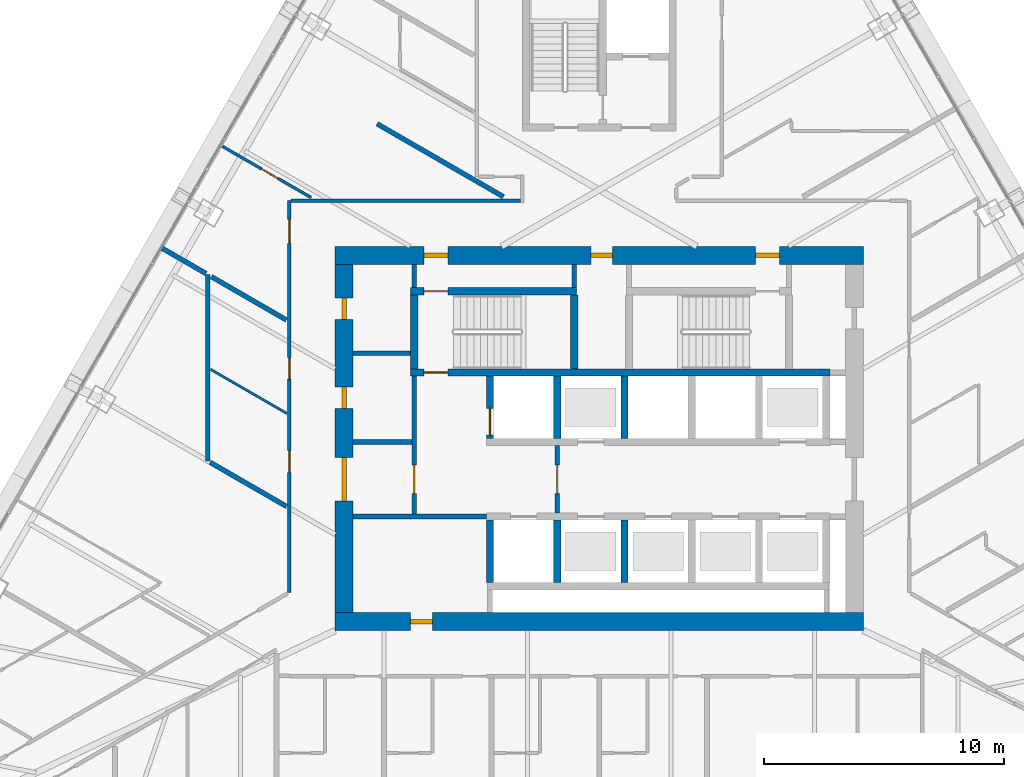
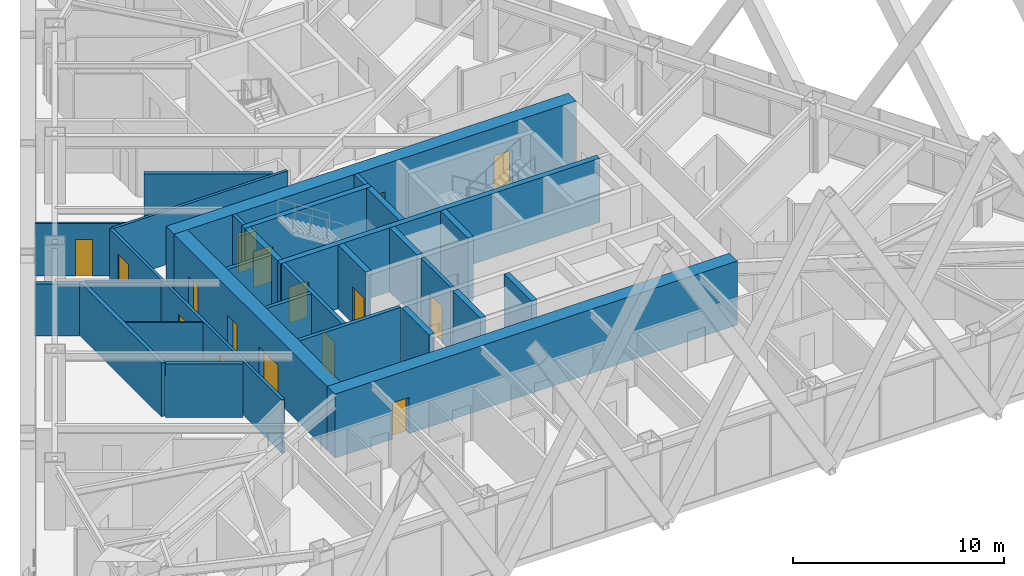
# One storey, part 18 of 24: 29 walls, 16 doors, 16 openings.
"""IFC4 building model written with IfcOpenShell, lengths in metres."""

from ifc_helpers import new_model, si_unit, direction, frame, frame_2d, origin, place, context, subcontext, project, spatial, rectangle, extrude, material, layer, layer_set, type_object, element, fill, save


model = new_model("IFC4")

# Units and contexts
model_context = context("Model", 3, precision=1e-05, world=origin(), true_north=direction((0.0, 1.0)))
body_context = subcontext(model_context, "Body", "Model", "MODEL_VIEW")
ifc_project = project(units=[si_unit("LENGTHUNIT", "METRE"), si_unit("AREAUNIT", "SQUARE_METRE"), si_unit("VOLUMEUNIT", "CUBIC_METRE"), si_unit("PLANEANGLEUNIT", "RADIAN"), si_unit("MASSUNIT", "GRAM", prefix="KILO")], contexts=[model_context])

# Site, building, storey
site_placement = place(None, origin())
site = spatial("IfcSite", under=ifc_project, at=site_placement, CompositionType="ELEMENT")
building_placement = place(site_placement, origin())
building = spatial("IfcBuilding", under=site, at=building_placement, Name="Firuza Gate Tower and Library", CompositionType="ELEMENT")
storey_placement = place(building_placement, frame((0.0, 0.0, 171.39990234375)))
storey = spatial("IfcBuildingStorey", under=building, at=storey_placement, Name="L39", CompositionType="ELEMENT", Elevation=171.39990234375)

# Walls
ifc_material_1 = material(Name="Plasterboard on steel studs", Category="steel")
ifc_layer_1 = layer(ifc_material_1, 0.199951171875)
ifc_layer_set_1 = layer_set([ifc_layer_1], Name="Core partition 200 EI 120")
wall_type_1 = type_object("IfcWallType", Name="Core partition 200 EI 120", PredefinedType="PARTITIONING", material=ifc_layer_set_1)
wall_1_placement = place(storey_placement, frame((64.75, 71.75, 0.0), z_axis=(0.0, 0.0, 1.0), x_axis=(1.0, 0.0, 0.0)))
element("IfcWall", 1, at=wall_1_placement, inside=storey, type_object=wall_type_1, Name="Core partition L39 1", PredefinedType="PARTITIONING", context=body_context, shape_type="SweptSolid", body=[
    extrude(rectangle(XDim=5.550048828125, YDim=0.199951171875, at=frame_2d((2.77490234375, 0.0))), origin(), (0.0, 0.0, 1.0), 3.7001953125),
])
ifc_material_2 = material(Name="Plasterboard on steel studs", Category="steel")
ifc_layer_2 = layer(ifc_material_2, 0.199951171875)
ifc_layer_set_2 = layer_set([ifc_layer_2], Name="Core partition 200 EI 60")
wall_type_2 = type_object("IfcWallType", Name="Core partition 200 EI 60", PredefinedType="PARTITIONING", material=ifc_layer_set_2)
wall_2_placement = place(storey_placement, frame((64.75, 74.85009765625, 0.0), z_axis=(0.0, 0.0, 1.0), x_axis=(1.0, 0.0, 0.0)))
element("IfcWall", 2, at=wall_2_placement, inside=storey, type_object=wall_type_2, Name="Core partition L39 3", PredefinedType="PARTITIONING", context=body_context, shape_type="SweptSolid", body=[
    extrude(rectangle(XDim=2.449951171875, YDim=0.199951171875, at=frame_2d((1.22509765625, 0.0))), origin(), (0.0, 0.0, 1.0), 3.7001953125),
])
wall_3_placement = place(storey_placement, frame((64.75, 78.550048828125, 0.0), z_axis=(0.0, 0.0, 1.0), x_axis=(1.0, 0.0, 0.0)))
element("IfcWall", 3, at=wall_3_placement, inside=storey, type_object=wall_type_2, Name="Core partition L39 6", PredefinedType="PARTITIONING", context=body_context, shape_type="SweptSolid", body=[
    extrude(rectangle(XDim=2.39990234375, YDim=0.199951171875, at=frame_2d((1.199951171875, 0.0))), origin(), (0.0, 0.0, 1.0), 3.7001953125),
])

# Wall, opening, door
wall_4_placement = place(storey_placement, frame((67.300048828125, 71.85009765625, 0.0), z_axis=(0.0, 0.0, 1.0), x_axis=(0.0, 1.0, 0.0)))
wall_4 = element("IfcWall", 4, at=wall_4_placement, inside=storey, type_object=wall_type_2, Name="Core partition L39 7", PredefinedType="PARTITIONING", context=body_context, shape_type="SweptSolid", body=[
    extrude(rectangle(XDim=5.75, YDim=0.199951171875, at=frame_2d((2.875, 0.0))), origin(), (0.0, 0.0, 1.0), 3.7001953125),
])
opening_1_placement = place(wall_4_placement, frame((0.85009765625, 0.0, 0.0)))
opening_1 = element("IfcOpeningElement", 5, at=opening_1_placement, cuts=wall_4, Name="Opening L39-K19", PredefinedType="OPENING", context=body_context, shape_type="SweptSolid", body=[
    extrude(rectangle(XDim=1.199951171875, YDim=2.10009765625, at=frame_2d((0.60009765625, 1.050048828125))), frame((0.0, 0.10986328125, 0.0), z_axis=(0.0, -1.0, 0.0), x_axis=(1.0, 0.0, 0.0)), (0.0, 0.0, 1.0), 0.219970703125),
])
ifc_material_3 = material(Name="Steel", Category="steel")
door_type_1 = type_object("IfcDoorType", Name="Fire door 1200x2100 FD90S", OperationType="NOTDEFINED", PredefinedType="DOOR", material=ifc_material_3)
door_1_placement = place(opening_1_placement, origin())
door_1 = element("IfcDoor", 6, at=door_1_placement, inside=storey, type_object=door_type_1, Name="Door L39-K19", OperationType="SINGLE_SWING_RIGHT", OverallHeight=2.10009765625, OverallWidth=1.199951171875, PredefinedType="DOOR", context=body_context, shape_type="SweptSolid", body=[
    extrude(rectangle(XDim=1.199951171875, YDim=2.10009765625, at=frame_2d((0.60009765625, 1.050048828125))), frame((0.0, 0.02490234375, 0.0), z_axis=(0.0, -1.0, 0.0), x_axis=(1.0, 0.0, 0.0)), (0.0, 0.0, 1.0), 0.050048828125),
])
fill(opening_1, door_1)

# Wall
wall_5_placement = place(storey_placement, frame((67.300048828125, 81.280029296875, 0.0), z_axis=(0.0, 0.0, 1.0), x_axis=(0.0, 1.0, 0.0)))
element("IfcWall", 7, at=wall_5_placement, inside=storey, type_object=wall_type_2, Name="Core partition L39 8", PredefinedType="PARTITIONING", context=body_context, shape_type="SweptSolid", body=[
    extrude(rectangle(XDim=0.969970703125, YDim=0.199951171875, at=frame_2d((0.48486328125, 0.0))), origin(), (0.0, 0.0, 1.0), 3.7001953125),
])

# Wall, opening, door
wall_6_placement = place(storey_placement, frame((73.25, 71.89990234375, 0.0), z_axis=(0.0, 0.0, 1.0), x_axis=(0.0, 1.0, 0.0)))
wall_6 = element("IfcWall", 8, at=wall_6_placement, inside=storey, type_object=wall_type_2, Name="Core partition L39 10", PredefinedType="PARTITIONING", context=body_context, shape_type="SweptSolid", body=[
    extrude(rectangle(XDim=2.800048828125, YDim=0.199951171875, at=frame_2d((1.39990234375, 0.0))), origin(), (0.0, 0.0, 1.0), 3.7001953125),
])
opening_2_placement = place(wall_6_placement, frame((0.800048828125, 0.0, 0.0)))
opening_2 = element("IfcOpeningElement", 9, at=opening_2_placement, cuts=wall_6, Name="Opening L39-K18", PredefinedType="OPENING", context=body_context, shape_type="SweptSolid", body=[
    extrude(rectangle(XDim=1.199951171875, YDim=2.10009765625, at=frame_2d((0.60009765625, 1.050048828125))), frame((0.0, 0.10986328125, 0.0), z_axis=(0.0, -1.0, 0.0), x_axis=(1.0, 0.0, 0.0)), (0.0, 0.0, 1.0), 0.219970703125),
])
door_2_placement = place(opening_2_placement, origin())
door_2 = element("IfcDoor", 10, at=door_2_placement, inside=storey, type_object=door_type_1, Name="Door L39-K18", OperationType="SINGLE_SWING_LEFT", OverallHeight=2.10009765625, OverallWidth=1.199951171875, PredefinedType="DOOR", context=body_context, shape_type="SweptSolid", body=[
    extrude(rectangle(XDim=1.199951171875, YDim=2.10009765625, at=frame_2d((0.60009765625, 1.050048828125))), frame((0.0, 0.02490234375, 0.0), z_axis=(0.0, -1.0, 0.0), x_axis=(1.0, 0.0, 0.0)), (0.0, 0.0, 1.0), 0.050048828125),
])
fill(opening_2, door_2)

# Walls
wall_7_placement = place(storey_placement, frame((73.9599609375, 81.280029296875, 0.0), z_axis=(0.0, 0.0, 1.0), x_axis=(0.0, 1.0, 0.0)))
element("IfcWall", 11, at=wall_7_placement, inside=storey, type_object=wall_type_2, Name="Core partition L39 11", PredefinedType="PARTITIONING", context=body_context, shape_type="SweptSolid", body=[
    extrude(rectangle(XDim=0.969970703125, YDim=0.199951171875, at=frame_2d((0.48486328125, 0.0))), origin(), (0.0, 0.0, 1.0), 3.7001953125),
])
ifc_material_4 = material(Name="Concrete C80/95", Category="concrete")
ifc_layer_3 = layer(ifc_material_4, 0.300048828125)
ifc_layer_set_3 = layer_set([ifc_layer_3], Name="Core wall 300 C80/95")
wall_type_3 = type_object("IfcWallType", Name="Core wall 300 C80/95", PredefinedType="SHEAR", material=ifc_layer_set_3)
wall_8_placement = place(storey_placement, frame((70.449951171875, 69.0, 0.0), z_axis=(0.0, 0.0, 1.0), x_axis=(0.0, 1.0, 0.0)))
element("IfcWall", 12, at=wall_8_placement, inside=storey, type_object=wall_type_3, Name="Core wall L39 8", PredefinedType="SHEAR", context=body_context, shape_type="SweptSolid", body=[
    extrude(rectangle(XDim=2.60009765625, YDim=0.300048828125, at=frame_2d((1.300048828125, 0.0))), origin(), (0.0, 0.0, 1.0), 3.7001953125),
])

# Wall, opening, door
wall_9_placement = place(storey_placement, frame((70.449951171875, 75.0, 0.0), z_axis=(0.0, 0.0, 1.0), x_axis=(0.0, 1.0, 0.0)))
wall_9 = element("IfcWall", 13, at=wall_9_placement, inside=storey, type_object=wall_type_3, Name="Core wall L39 9", PredefinedType="SHEAR", context=body_context, shape_type="SweptSolid", body=[
    extrude(rectangle(XDim=2.60009765625, YDim=0.300048828125, at=frame_2d((1.300048828125, 0.0))), origin(), (0.0, 0.0, 1.0), 3.7001953125),
])
opening_3_placement = place(wall_9_placement, frame((0.14990234375, 0.0, 0.0)))
opening_3 = element("IfcOpeningElement", 14, at=opening_3_placement, cuts=wall_9, Name="Opening LD-FF2-L39", PredefinedType="OPENING", context=body_context, shape_type="SweptSolid", body=[
    extrude(rectangle(XDim=1.10009765625, YDim=2.10009765625, at=frame_2d((0.550048828125, 1.050048828125))), frame((0.0, 0.16015625, 0.0), z_axis=(0.0, -1.0, 0.0), x_axis=(1.0, 0.0, 0.0)), (0.0, 0.0, 1.0), 0.320068359375),
])
ifc_material_5 = material(Name="Stainless steel", Category="steel")
door_type_2 = type_object("IfcDoorType", Name="Lift landing door 1100x2100", OperationType="DOUBLE_DOOR_SLIDING", PredefinedType="DOOR", material=ifc_material_5)
door_3_placement = place(opening_3_placement, origin())
door_3 = element("IfcDoor", 15, at=door_3_placement, inside=storey, type_object=door_type_2, Name="Landing door FF2 L39", OperationType="DOUBLE_DOOR_SLIDING", OverallHeight=2.10009765625, OverallWidth=1.10009765625, PredefinedType="DOOR", context=body_context, shape_type="SweptSolid", body=[
    extrude(rectangle(XDim=1.10009765625, YDim=2.10009765625, at=frame_2d((0.550048828125, 1.050048828125))), frame((0.0, 0.02490234375, 0.0), z_axis=(0.0, -1.0, 0.0), x_axis=(1.0, 0.0, 0.0)), (0.0, 0.0, 1.0), 0.050048828125),
])
fill(opening_3, door_3)

# Walls
for number, where, z_axis, x_axis, name in (
    (16, (73.25, 69.0, 0.0), (0.0, 0.0, 1.0), (0.0, 1.0, 0.0), "Core wall L39 10"),
    (17, (73.25, 75.0, 0.0), (0.0, 0.0, 1.0), (0.0, 1.0, 0.0), "Core wall L39 11"),
    (18, (76.050048828125, 69.0, 0.0), (0.0, 0.0, 1.0), (0.0, 1.0, 0.0), "Core wall L39 12"),
    (19, (76.050048828125, 75.0, 0.0), (0.0, 0.0, 1.0), (0.0, 1.0, 0.0), "Core wall L39 13"),
):
    element("IfcWall", number, at=place(storey_placement, frame(where, z_axis=z_axis, x_axis=x_axis)), inside=storey, type_object=wall_type_3, Name=name, PredefinedType="SHEAR", context=body_context, shape_type="SweptSolid", body=[
        extrude(rectangle(XDim=2.60009765625, YDim=0.300048828125, at=frame_2d((1.300048828125, 0.0))), origin(), (0.0, 0.0, 1.0), 3.7001953125),
    ])

# Wall, opening, door
wall_10_placement = place(storey_placement, frame((67.14990234375, 77.75, 0.0), z_axis=(0.0, 0.0, 1.0), x_axis=(1.0, 0.0, 0.0)))
wall_10 = element("IfcWall", 20, at=wall_10_placement, inside=storey, type_object=wall_type_3, Name="Core wall L39 20", PredefinedType="SHEAR", context=body_context, shape_type="SweptSolid", body=[
    extrude(rectangle(XDim=17.4501953125, YDim=0.300048828125, at=frame_2d((8.72509765625, 0.0))), origin(), (0.0, 0.0, 1.0), 3.7001953125),
])
opening_4_placement = place(wall_10_placement, frame((0.544921875, 0.0, 0.0)))
opening_4 = element("IfcOpeningElement", 21, at=opening_4_placement, cuts=wall_10, Name="Opening L39-K10", PredefinedType="OPENING", context=body_context, shape_type="SweptSolid", body=[
    extrude(rectangle(XDim=1.0, YDim=2.10009765625, at=frame_2d((0.5, 1.050048828125))), frame((0.0, 0.16015625, 0.0), z_axis=(0.0, -1.0, 0.0), x_axis=(1.0, 0.0, 0.0)), (0.0, 0.0, 1.0), 0.320068359375),
])
ifc_material_6 = material(Name="Steel", Category="steel")
door_type_3 = type_object("IfcDoorType", Name="Fire door 1000x2100 FD90", OperationType="NOTDEFINED", PredefinedType="DOOR", material=ifc_material_6)
door_4_placement = place(opening_4_placement, origin())
door_4 = element("IfcDoor", 22, at=door_4_placement, inside=storey, type_object=door_type_3, Name="Door L39-K10", OperationType="SINGLE_SWING_LEFT", OverallHeight=2.10009765625, OverallWidth=1.0, PredefinedType="DOOR", context=body_context, shape_type="SweptSolid", body=[
    extrude(rectangle(XDim=1.0, YDim=2.10009765625, at=frame_2d((0.5, 1.050048828125))), frame((0.0, 0.02490234375, 0.0), z_axis=(0.0, -1.0, 0.0), x_axis=(1.0, 0.0, 0.0)), (0.0, 0.0, 1.0), 0.050048828125),
])
fill(opening_4, door_4)

wall_11_placement = place(storey_placement, frame((67.14990234375, 81.1298828125, 0.0), z_axis=(0.0, 0.0, 1.0), x_axis=(1.0, 0.0, 0.0)))
wall_11 = element("IfcWall", 23, at=wall_11_placement, inside=storey, type_object=wall_type_3, Name="Core wall L39 21", PredefinedType="SHEAR", context=body_context, shape_type="SweptSolid", body=[
    extrude(rectangle(XDim=6.91015625, YDim=0.300048828125, at=frame_2d((3.455078125, 0.0))), origin(), (0.0, 0.0, 1.0), 3.7001953125),
])
opening_5_placement = place(wall_11_placement, frame((0.544921875, 0.0, 0.0)))
opening_5 = element("IfcOpeningElement", 24, at=opening_5_placement, cuts=wall_11, Name="Opening L39-K11", PredefinedType="OPENING", context=body_context, shape_type="SweptSolid", body=[
    extrude(rectangle(XDim=1.0, YDim=2.10009765625, at=frame_2d((0.5, 1.050048828125))), frame((0.0, 0.16015625, 0.0), z_axis=(0.0, -1.0, 0.0), x_axis=(1.0, 0.0, 0.0)), (0.0, 0.0, 1.0), 0.320068359375),
])
door_5_placement = place(opening_5_placement, origin())
door_5 = element("IfcDoor", 25, at=door_5_placement, inside=storey, type_object=door_type_3, Name="Door L39-K11", OperationType="SINGLE_SWING_RIGHT", OverallHeight=2.10009765625, OverallWidth=1.0, PredefinedType="DOOR", context=body_context, shape_type="SweptSolid", body=[
    extrude(rectangle(XDim=1.0, YDim=2.10009765625, at=frame_2d((0.5, 1.050048828125))), frame((0.0, 0.02490234375, 0.0), z_axis=(0.0, -1.0, 0.0), x_axis=(1.0, 0.0, 0.0)), (0.0, 0.0, 1.0), 0.050048828125),
])
fill(opening_5, door_5)

# Walls
for number, where, z_axis, x_axis, name in (
    (26, (67.300048828125, 77.89990234375, 0.0), (0.0, 0.0, 1.0), (0.0, 1.0, 0.0), "Core wall L39 23"),
    (27, (73.9599609375, 77.89990234375, 0.0), (0.0, 0.0, 1.0), (0.0, 1.0, 0.0), "Core wall L39 24"),
):
    element("IfcWall", number, at=place(storey_placement, frame(where, z_axis=z_axis, x_axis=x_axis)), inside=storey, type_object=wall_type_3, Name=name, PredefinedType="SHEAR", context=body_context, shape_type="SweptSolid", body=[
        extrude(rectangle(XDim=3.080078125, YDim=0.300048828125, at=frame_2d((1.5400390625, 0.0))), origin(), (0.0, 0.0, 1.0), 3.7001953125),
    ])

# Wall, opening, door
ifc_material_7 = material(Name="Concrete C80/95", Category="concrete")
ifc_layer_4 = layer(ifc_material_7, 0.75)
ifc_layer_set_4 = layer_set([ifc_layer_4], Name="Core wall 750 C80/95")
wall_type_4 = type_object("IfcWallType", Name="Core wall 750 C80/95", PredefinedType="SHEAR", material=ifc_layer_set_4)
wall_12_placement = place(storey_placement, frame((64.0, 67.375, 0.0), z_axis=(0.0, 0.0, 1.0), x_axis=(1.0, 0.0, 0.0)))
wall_12 = element("IfcWall", 28, at=wall_12_placement, inside=storey, type_object=wall_type_4, Name="Core wall L39 1", PredefinedType="SHEAR", context=body_context, shape_type="SweptSolid", body=[
    extrude(rectangle(XDim=22.0, YDim=0.75, at=frame_2d((11.0, 0.0))), origin(), (0.0, 0.0, 1.0), 3.7001953125),
])
opening_6_placement = place(wall_12_placement, frame((3.14990234375, 0.0, 0.0)))
opening_6 = element("IfcOpeningElement", 29, at=opening_6_placement, cuts=wall_12, Name="Opening L39-K22", PredefinedType="OPENING", context=body_context, shape_type="SweptSolid", body=[
    extrude(rectangle(XDim=0.89990234375, YDim=2.10009765625, at=frame_2d((0.449951171875, 1.050048828125))), frame((0.0, 0.385009765625, 0.0), z_axis=(0.0, -1.0, 0.0), x_axis=(1.0, 0.0, 0.0)), (0.0, 0.0, 1.0), 0.77001953125),
])
ifc_material_8 = material(Name="Steel", Category="steel")
door_type_4 = type_object("IfcDoorType", Name="Fire door 900x2100 FD30S", OperationType="NOTDEFINED", PredefinedType="DOOR", material=ifc_material_8)
door_6_placement = place(opening_6_placement, origin())
door_6 = element("IfcDoor", 30, at=door_6_placement, inside=storey, type_object=door_type_4, Name="Door L39-K22", OperationType="SINGLE_SWING_LEFT", OverallHeight=2.10009765625, OverallWidth=0.89990234375, PredefinedType="DOOR", context=body_context, shape_type="SweptSolid", body=[
    extrude(rectangle(XDim=0.89990234375, YDim=2.10009765625, at=frame_2d((0.449951171875, 1.050048828125))), frame((0.0, 0.094970703125, 0.0), z_axis=(0.0, -1.0, 0.0), x_axis=(1.0, 0.0, 0.0)), (0.0, 0.0, 1.0), 0.18994140625),
])
fill(opening_6, door_6)

# Wall, openings, doors
wall_13_placement = place(storey_placement, frame((64.0, 82.625, 0.0), z_axis=(0.0, 0.0, 1.0), x_axis=(1.0, 0.0, 0.0)))
wall_13 = element("IfcWall", 31, at=wall_13_placement, inside=storey, type_object=wall_type_4, Name="Core wall L39 2", PredefinedType="SHEAR", context=body_context, shape_type="SweptSolid", body=[
    extrude(rectangle(XDim=22.0, YDim=0.75, at=frame_2d((11.0, 0.0))), origin(), (0.0, 0.0, 1.0), 3.7001953125),
])
opening_7_placement = place(wall_13_placement, frame((3.695068359375, 0.0, 0.0)))
opening_7 = element("IfcOpeningElement", 32, at=opening_7_placement, cuts=wall_13, Name="Opening L39-K12", PredefinedType="OPENING", context=body_context, shape_type="SweptSolid", body=[
    extrude(rectangle(XDim=1.0, YDim=2.10009765625, at=frame_2d((0.5, 1.050048828125))), frame((0.0, 0.385009765625, 0.0), z_axis=(0.0, -1.0, 0.0), x_axis=(1.0, 0.0, 0.0)), (0.0, 0.0, 1.0), 0.77001953125),
])
opening_8_placement = place(wall_13_placement, frame((17.5048828125, 0.0, 0.0)))
opening_8 = element("IfcOpeningElement", 33, at=opening_8_placement, cuts=wall_13, Name="Opening L39-K14", PredefinedType="OPENING", context=body_context, shape_type="SweptSolid", body=[
    extrude(rectangle(XDim=1.0, YDim=2.10009765625, at=frame_2d((0.5, 1.050048828125))), frame((0.0, 0.385009765625, 0.0), z_axis=(0.0, -1.0, 0.0), x_axis=(1.0, 0.0, 0.0)), (0.0, 0.0, 1.0), 0.77001953125),
])
opening_9_placement = place(wall_13_placement, frame((10.64990234375, 0.0, 0.0)))
opening_9 = element("IfcOpeningElement", 34, at=opening_9_placement, cuts=wall_13, Name="Opening L39-K25", PredefinedType="OPENING", context=body_context, shape_type="SweptSolid", body=[
    extrude(rectangle(XDim=0.89990234375, YDim=2.10009765625, at=frame_2d((0.449951171875, 1.050048828125))), frame((0.0, 0.385009765625, 0.0), z_axis=(0.0, -1.0, 0.0), x_axis=(1.0, 0.0, 0.0)), (0.0, 0.0, 1.0), 0.77001953125),
])
door_7_placement = place(opening_7_placement, origin())
door_7 = element("IfcDoor", 35, at=door_7_placement, inside=storey, type_object=door_type_3, Name="Door L39-K12", OperationType="SINGLE_SWING_LEFT", OverallHeight=2.10009765625, OverallWidth=1.0, PredefinedType="DOOR", context=body_context, shape_type="SweptSolid", body=[
    extrude(rectangle(XDim=1.0, YDim=2.10009765625, at=frame_2d((0.5, 1.050048828125))), frame((0.0, 0.094970703125, 0.0), z_axis=(0.0, -1.0, 0.0), x_axis=(1.0, 0.0, 0.0)), (0.0, 0.0, 1.0), 0.18994140625),
])
fill(opening_7, door_7)
door_8_placement = place(opening_8_placement, origin())
door_8 = element("IfcDoor", 36, at=door_8_placement, inside=storey, type_object=door_type_3, Name="Door L39-K14", OperationType="SINGLE_SWING_LEFT", OverallHeight=2.10009765625, OverallWidth=1.0, PredefinedType="DOOR", context=body_context, shape_type="SweptSolid", body=[
    extrude(rectangle(XDim=1.0, YDim=2.10009765625, at=frame_2d((0.5, 1.050048828125))), frame((0.0, 0.094970703125, 0.0), z_axis=(0.0, -1.0, 0.0), x_axis=(1.0, 0.0, 0.0)), (0.0, 0.0, 1.0), 0.18994140625),
])
fill(opening_8, door_8)
door_9_placement = place(opening_9_placement, origin())
door_9 = element("IfcDoor", 37, at=door_9_placement, inside=storey, type_object=door_type_4, Name="Door L39-K25", OperationType="SINGLE_SWING_RIGHT", OverallHeight=2.10009765625, OverallWidth=0.89990234375, PredefinedType="DOOR", context=body_context, shape_type="SweptSolid", body=[
    extrude(rectangle(XDim=0.89990234375, YDim=2.10009765625, at=frame_2d((0.449951171875, 1.050048828125))), frame((0.0, 0.094970703125, 0.0), z_axis=(0.0, -1.0, 0.0), x_axis=(1.0, 0.0, 0.0)), (0.0, 0.0, 1.0), 0.18994140625),
])
fill(opening_9, door_9)

wall_14_placement = place(storey_placement, frame((64.375, 67.75, 0.0), z_axis=(0.0, 0.0, 1.0), x_axis=(0.0, 1.0, 0.0)))
wall_14 = element("IfcWall", 38, at=wall_14_placement, inside=storey, type_object=wall_type_4, Name="Core wall L39 3", PredefinedType="SHEAR", context=body_context, shape_type="SweptSolid", body=[
    extrude(rectangle(XDim=14.5, YDim=0.75, at=frame_2d((7.25, 0.0))), origin(), (0.0, 0.0, 1.0), 3.7001953125),
])
opening_10_placement = place(wall_14_placement, frame((4.64990234375, 0.0, 0.0)))
opening_10 = element("IfcOpeningElement", 39, at=opening_10_placement, cuts=wall_14, Name="Opening L39-K20", PredefinedType="OPENING", context=body_context, shape_type="SweptSolid", body=[
    extrude(rectangle(XDim=1.800048828125, YDim=2.10009765625, at=frame_2d((0.89990234375, 1.050048828125))), frame((0.0, 0.385009765625, 0.0), z_axis=(0.0, -1.0, 0.0), x_axis=(1.0, 0.0, 0.0)), (0.0, 0.0, 1.0), 0.77001953125),
])
opening_11_placement = place(wall_14_placement, frame((8.5, 0.0, 0.0)))
opening_11 = element("IfcOpeningElement", 40, at=opening_11_placement, cuts=wall_14, Name="Opening L39-K23", PredefinedType="OPENING", context=body_context, shape_type="SweptSolid", body=[
    extrude(rectangle(XDim=0.89990234375, YDim=2.10009765625, at=frame_2d((0.449951171875, 1.050048828125))), frame((0.0, 0.385009765625, 0.0), z_axis=(0.0, -1.0, 0.0), x_axis=(1.0, 0.0, 0.0)), (0.0, 0.0, 1.0), 0.77001953125),
])
opening_12_placement = place(wall_14_placement, frame((12.199951171875, 0.0, 0.0)))
opening_12 = element("IfcOpeningElement", 41, at=opening_12_placement, cuts=wall_14, Name="Opening L39-K24", PredefinedType="OPENING", context=body_context, shape_type="SweptSolid", body=[
    extrude(rectangle(XDim=0.89990234375, YDim=2.10009765625, at=frame_2d((0.449951171875, 1.050048828125))), frame((0.0, 0.385009765625, 0.0), z_axis=(0.0, -1.0, 0.0), x_axis=(1.0, 0.0, 0.0)), (0.0, 0.0, 1.0), 0.77001953125),
])
ifc_material_9 = material(Name="Steel", Category="steel")
door_type_5 = type_object("IfcDoorType", Name="Fire door 1800x2100 FD30S", OperationType="NOTDEFINED", PredefinedType="DOOR", material=ifc_material_9)
door_10_placement = place(opening_10_placement, origin())
door_10 = element("IfcDoor", 42, at=door_10_placement, inside=storey, type_object=door_type_5, Name="Door L39-K20", OperationType="SINGLE_SWING_LEFT", OverallHeight=2.10009765625, OverallWidth=1.800048828125, PredefinedType="DOOR", context=body_context, shape_type="SweptSolid", body=[
    extrude(rectangle(XDim=1.800048828125, YDim=2.10009765625, at=frame_2d((0.89990234375, 1.050048828125))), frame((0.0, 0.094970703125, 0.0), z_axis=(0.0, -1.0, 0.0), x_axis=(1.0, 0.0, 0.0)), (0.0, 0.0, 1.0), 0.18994140625),
])
fill(opening_10, door_10)
door_11_placement = place(opening_11_placement, origin())
door_11 = element("IfcDoor", 43, at=door_11_placement, inside=storey, type_object=door_type_4, Name="Door L39-K23", OperationType="SINGLE_SWING_RIGHT", OverallHeight=2.10009765625, OverallWidth=0.89990234375, PredefinedType="DOOR", context=body_context, shape_type="SweptSolid", body=[
    extrude(rectangle(XDim=0.89990234375, YDim=2.10009765625, at=frame_2d((0.449951171875, 1.050048828125))), frame((0.0, 0.094970703125, 0.0), z_axis=(0.0, -1.0, 0.0), x_axis=(1.0, 0.0, 0.0)), (0.0, 0.0, 1.0), 0.18994140625),
])
fill(opening_11, door_11)
door_12_placement = place(opening_12_placement, origin())
door_12 = element("IfcDoor", 44, at=door_12_placement, inside=storey, type_object=door_type_4, Name="Door L39-K24", OperationType="SINGLE_SWING_LEFT", OverallHeight=2.10009765625, OverallWidth=0.89990234375, PredefinedType="DOOR", context=body_context, shape_type="SweptSolid", body=[
    extrude(rectangle(XDim=0.89990234375, YDim=2.10009765625, at=frame_2d((0.449951171875, 1.050048828125))), frame((0.0, 0.094970703125, 0.0), z_axis=(0.0, -1.0, 0.0), x_axis=(1.0, 0.0, 0.0)), (0.0, 0.0, 1.0), 0.18994140625),
])
fill(opening_12, door_12)

# Wall
ifc_material_10 = material(Name="Gypsum board partition")
ifc_layer_5 = layer(ifc_material_10, 0.14990234375)
ifc_layer_set_5 = layer_set([ifc_layer_5], Name="Corridor wall 150 double board on steel studs")
wall_type_5 = type_object("IfcWallType", Name="Corridor wall 150 double board on steel studs", PredefinedType="PARTITIONING", material=ifc_layer_set_5)
wall_15_placement = place(storey_placement, frame((62.175537109375, 84.89990234375, 0.0), z_axis=(0.0, 0.0, 1.0), x_axis=(1.0, 0.0, 0.0)))
element("IfcWall", 45, at=wall_15_placement, inside=storey, type_object=wall_type_5, Name="f:L39:w011", PredefinedType="PARTITIONING", context=body_context, shape_type="SweptSolid", body=[
    extrude(rectangle(XDim=9.549560546875, YDim=0.14990234375, at=frame_2d((4.77490234375, 0.0))), origin(), (0.0, 0.0, 1.0), 3.10009765625),
])

# Wall, openings, doors
wall_16_placement = place(storey_placement, frame((62.10009765625, 68.59130859375, 0.0), z_axis=(0.0, 0.0, 1.0), x_axis=(0.0, 1.0, 0.0)))
wall_16 = element("IfcWall", 46, at=wall_16_placement, inside=storey, type_object=wall_type_5, Name="f:L39:w080", PredefinedType="PARTITIONING", context=body_context, shape_type="SweptSolid", body=[
    extrude(rectangle(XDim=16.30810546875, YDim=0.14990234375, at=frame_2d((8.154052734375, 0.0))), origin(), (0.0, 0.0, 1.0), 3.10009765625),
])
opening_13_placement = place(wall_16_placement, frame((4.99853515625, 0.0, 0.0)))
opening_13 = element("IfcOpeningElement", 47, at=opening_13_placement, cuts=wall_16, Name="Opening L39-41", PredefinedType="OPENING", context=body_context, shape_type="SweptSolid", body=[
    extrude(rectangle(XDim=0.89990234375, YDim=2.10009765625, at=frame_2d((0.449951171875, 1.050048828125))), frame((0.0, 0.0849609375, 0.0), z_axis=(0.0, -1.0, 0.0), x_axis=(1.0, 0.0, 0.0)), (0.0, 0.0, 1.0), 0.169921875),
])
opening_14_placement = place(wall_16_placement, frame((8.879150390625, 0.0, 0.0)))
opening_14 = element("IfcOpeningElement", 48, at=opening_14_placement, cuts=wall_16, Name="Opening L39-42", PredefinedType="OPENING", context=body_context, shape_type="SweptSolid", body=[
    extrude(rectangle(XDim=0.89990234375, YDim=2.10009765625, at=frame_2d((0.449951171875, 1.050048828125))), frame((0.0, 0.0849609375, 0.0), z_axis=(0.0, -1.0, 0.0), x_axis=(1.0, 0.0, 0.0)), (0.0, 0.0, 1.0), 0.169921875),
])
opening_15_placement = place(wall_16_placement, frame((14.53173828125, 0.0, 0.0)))
opening_15 = element("IfcOpeningElement", 49, at=opening_15_placement, cuts=wall_16, Name="Opening L39-43", PredefinedType="OPENING", context=body_context, shape_type="SweptSolid", body=[
    extrude(rectangle(XDim=1.0, YDim=2.10009765625, at=frame_2d((0.5, 1.050048828125))), frame((0.0, 0.0849609375, 0.0), z_axis=(0.0, -1.0, 0.0), x_axis=(1.0, 0.0, 0.0)), (0.0, 0.0, 1.0), 0.169921875),
])
ifc_material_11 = material(Name="Steel door and timber leaf", Category="steel")
door_type_6 = type_object("IfcDoorType", Name="Fire door 1000 x 2100 steel frame, timber leaf", OperationType="NOTDEFINED", PredefinedType="DOOR", material=ifc_material_11)
door_13_placement = place(opening_15_placement, origin())
door_13 = element("IfcDoor", 50, at=door_13_placement, inside=storey, type_object=door_type_6, Name="f:L39:d043", OperationType="SINGLE_SWING_RIGHT", OverallHeight=2.10009765625, OverallWidth=1.0, PredefinedType="DOOR", context=body_context, shape_type="SweptSolid", body=[
    extrude(rectangle(XDim=1.0, YDim=2.10009765625, at=frame_2d((0.5, 1.050048828125))), frame((0.0, 0.02490234375, 0.0), z_axis=(0.0, -1.0, 0.0), x_axis=(1.0, 0.0, 0.0)), (0.0, 0.0, 1.0), 0.050048828125),
])
fill(opening_15, door_13)
ifc_material_12 = material(Name="Steel door and timber leaf", Category="steel")
door_type_7 = type_object("IfcDoorType", Name="Fire door 900 x 2100 steel frame, timber leaf", OperationType="NOTDEFINED", PredefinedType="DOOR", material=ifc_material_12)
door_14_placement = place(opening_13_placement, origin())
door_14 = element("IfcDoor", 51, at=door_14_placement, inside=storey, type_object=door_type_7, Name="f:L39:d041", OperationType="SINGLE_SWING_LEFT", OverallHeight=2.10009765625, OverallWidth=0.89990234375, PredefinedType="DOOR", context=body_context, shape_type="SweptSolid", body=[
    extrude(rectangle(XDim=0.89990234375, YDim=2.10009765625, at=frame_2d((0.449951171875, 1.050048828125))), frame((0.0, 0.02490234375, 0.0), z_axis=(0.0, -1.0, 0.0), x_axis=(1.0, 0.0, 0.0)), (0.0, 0.0, 1.0), 0.050048828125),
])
fill(opening_13, door_14)
door_15_placement = place(opening_14_placement, origin())
door_15 = element("IfcDoor", 52, at=door_15_placement, inside=storey, type_object=door_type_7, Name="f:L39:d042", OperationType="SINGLE_SWING_RIGHT", OverallHeight=2.10009765625, OverallWidth=0.89990234375, PredefinedType="DOOR", context=body_context, shape_type="SweptSolid", body=[
    extrude(rectangle(XDim=0.89990234375, YDim=2.10009765625, at=frame_2d((0.449951171875, 1.050048828125))), frame((0.0, 0.02490234375, 0.0), z_axis=(0.0, -1.0, 0.0), x_axis=(1.0, 0.0, 0.0)), (0.0, 0.0, 1.0), 0.050048828125),
])
fill(opening_14, door_15)

# Walls
ifc_material_13 = material(Name="Gypsum board partition")
ifc_layer_6 = layer(ifc_material_13, 0.199951171875)
ifc_layer_set_6 = layer_set([ifc_layer_6], Name="Demising wall 200 acoustic double stud")
wall_type_6 = type_object("IfcWallType", Name="Demising wall 200 acoustic double stud", PredefinedType="PARTITIONING", material=ifc_layer_set_6)
wall_17_placement = place(storey_placement, frame((58.699951171875, 74.063232421875, 0.0), z_axis=(0.0, 0.0, 1.0), x_axis=(0.0, 1.0, 0.0)))
element("IfcWall", 53, at=wall_17_placement, inside=storey, type_object=wall_type_6, Name="f:L39:w082", PredefinedType="PARTITIONING", context=body_context, shape_type="SweptSolid", body=[
    extrude(rectangle(XDim=7.76025390625, YDim=0.199951171875, at=frame_2d((3.880126953125, 0.0))), origin(), (0.0, 0.0, 1.0), 3.10009765625),
])
wall_18_placement = place(storey_placement, frame((71.009521484375, 85.064697265625, 0.0), z_axis=(0.0, 0.0, 1.0), x_axis=(-0.866024161028, 0.500002152512, 0.0)))
element("IfcWall", 54, at=wall_18_placement, inside=storey, type_object=wall_type_6, Name="f:L39:w099", PredefinedType="PARTITIONING", context=body_context, shape_type="SweptSolid", body=[
    extrude(rectangle(XDim=6.06982421875, YDim=0.199951171875, at=frame_2d((3.034912109375, 0.0))), origin(), (0.0, 0.0, 1.0), 3.10009765625),
])
wall_19_placement = place(storey_placement, frame((61.972900390625, 79.93359375, 0.0), z_axis=(0.0, 0.0, 1.0), x_axis=(-0.866022099498, 0.500005723148, 0.0)))
element("IfcWall", 55, at=wall_19_placement, inside=storey, type_object=wall_type_6, Name="f:L39:w107", PredefinedType="PARTITIONING", context=body_context, shape_type="SweptSolid", body=[
    extrude(rectangle(XDim=3.60595703125, YDim=0.199951171875, at=frame_2d((1.802978515625, 0.0))), origin(), (0.0, 0.0, 1.0), 3.10009765625),
])
wall_20_placement = place(storey_placement, frame((61.97314453125, 72.1728515625, 0.0), z_axis=(0.0, 0.0, 1.0), x_axis=(-0.866049104564, 0.499958946799, 0.0)))
element("IfcWall", 56, at=wall_20_placement, inside=storey, type_object=wall_type_6, Name="f:L39:w110", PredefinedType="PARTITIONING", context=body_context, shape_type="SweptSolid", body=[
    extrude(rectangle(XDim=3.663818359375, YDim=0.199951171875, at=frame_2d((1.83203125, 0.0))), origin(), (0.0, 0.0, 1.0), 3.10009765625),
])
wall_21_placement = place(storey_placement, frame((58.625, 81.86669921875, 0.0), z_axis=(0.0, 0.0, 1.0), x_axis=(-0.866078449842, 0.499908110276, 0.0)))
element("IfcWall", 57, at=wall_21_placement, inside=storey, type_object=wall_type_6, Name="f:L39:w119", PredefinedType="PARTITIONING", context=body_context, shape_type="SweptSolid", body=[
    extrude(rectangle(XDim=2.125, YDim=0.199951171875, at=frame_2d((1.0625, 0.0))), origin(), (0.0, 0.0, 1.0), 3.022216796875),
])
ifc_material_14 = material(Name="Gypsum board partition")
ifc_layer_7 = layer(ifc_material_14, 0.10009765625)
ifc_layer_set_7 = layer_set([ifc_layer_7], Name="Partition 100 gypsum board on steel studs")
wall_type_7 = type_object("IfcWallType", Name="Partition 100 gypsum board on steel studs", PredefinedType="PARTITIONING", material=ifc_layer_set_7)
wall_22_placement = place(storey_placement, frame((61.999267578125, 76.03857421875, 0.0), z_axis=(0.0, 0.0, 1.0), x_axis=(-0.866020252061, 0.500008922941, 0.0)))
element("IfcWall", 58, at=wall_22_placement, inside=storey, type_object=wall_type_7, Name="f:L39:w109", PredefinedType="PARTITIONING", context=body_context, shape_type="SweptSolid", body=[
    extrude(rectangle(XDim=3.6640625, YDim=0.10009765625, at=frame_2d((1.83203125, 0.0))), origin(), (0.0, 0.0, 1.0), 3.10009765625),
])

# Wall, opening, door
ifc_material_15 = material(Name="Gypsum board partition")
ifc_layer_8 = layer(ifc_material_15, 0.1201171875)
ifc_layer_set_8 = layer_set([ifc_layer_8], Name="Wet-area partition 120 moisture-resistant board")
wall_type_8 = type_object("IfcWallType", Name="Wet-area partition 120 moisture-resistant board", PredefinedType="PARTITIONING", material=ifc_layer_set_8)
wall_23_placement = place(storey_placement, frame((59.249267578125, 87.19775390625, 0.0), z_axis=(0.0, 0.0, 1.0), x_axis=(0.866006496088, -0.50003274766, 0.0)))
wall_23 = element("IfcWall", 59, at=wall_23_placement, inside=storey, type_object=wall_type_8, Name="f:L39:w103", PredefinedType="PARTITIONING", context=body_context, shape_type="SweptSolid", body=[
    extrude(rectangle(XDim=4.336181640625, YDim=0.1201171875, at=frame_2d((2.16796875, 0.0))), origin(), (0.0, 0.0, 1.0), 3.022216796875),
])
opening_16_placement = place(wall_23_placement, frame((1.947998046875, 0.0, 0.0)))
opening_16 = element("IfcOpeningElement", 60, at=opening_16_placement, cuts=wall_23, Name="Opening L39-45", PredefinedType="OPENING", context=body_context, shape_type="SweptSolid", body=[
    extrude(rectangle(XDim=0.800048828125, YDim=2.10009765625, at=frame_2d((0.39990234375, 1.050048828125))), frame((0.0, 0.070068359375, 0.0), z_axis=(0.0, -1.0, 0.0), x_axis=(1.0, 0.0, 0.0)), (0.0, 0.0, 1.0), 0.14013671875),
])
ifc_material_16 = material(Name="Timber door", Category="wood")
door_type_8 = type_object("IfcDoorType", Name="Door 800 x 2100 timber leaf", OperationType="NOTDEFINED", PredefinedType="DOOR", material=ifc_material_16)
door_16_placement = place(opening_16_placement, origin())
door_16 = element("IfcDoor", 61, at=door_16_placement, inside=storey, type_object=door_type_8, Name="f:L39:d045", OperationType="SINGLE_SWING_RIGHT", OverallHeight=2.10009765625, OverallWidth=0.800048828125, PredefinedType="DOOR", context=body_context, shape_type="SweptSolid", body=[
    extrude(rectangle(XDim=0.800048828125, YDim=2.10009765625, at=frame_2d((0.39990234375, 1.050048828125))), frame((0.0, 0.02490234375, 0.0), z_axis=(0.0, -1.0, 0.0), x_axis=(1.0, 0.0, 0.0)), (0.0, 0.0, 1.0), 0.050048828125),
])
fill(opening_16, door_16)

save(model, "model.ifc")
